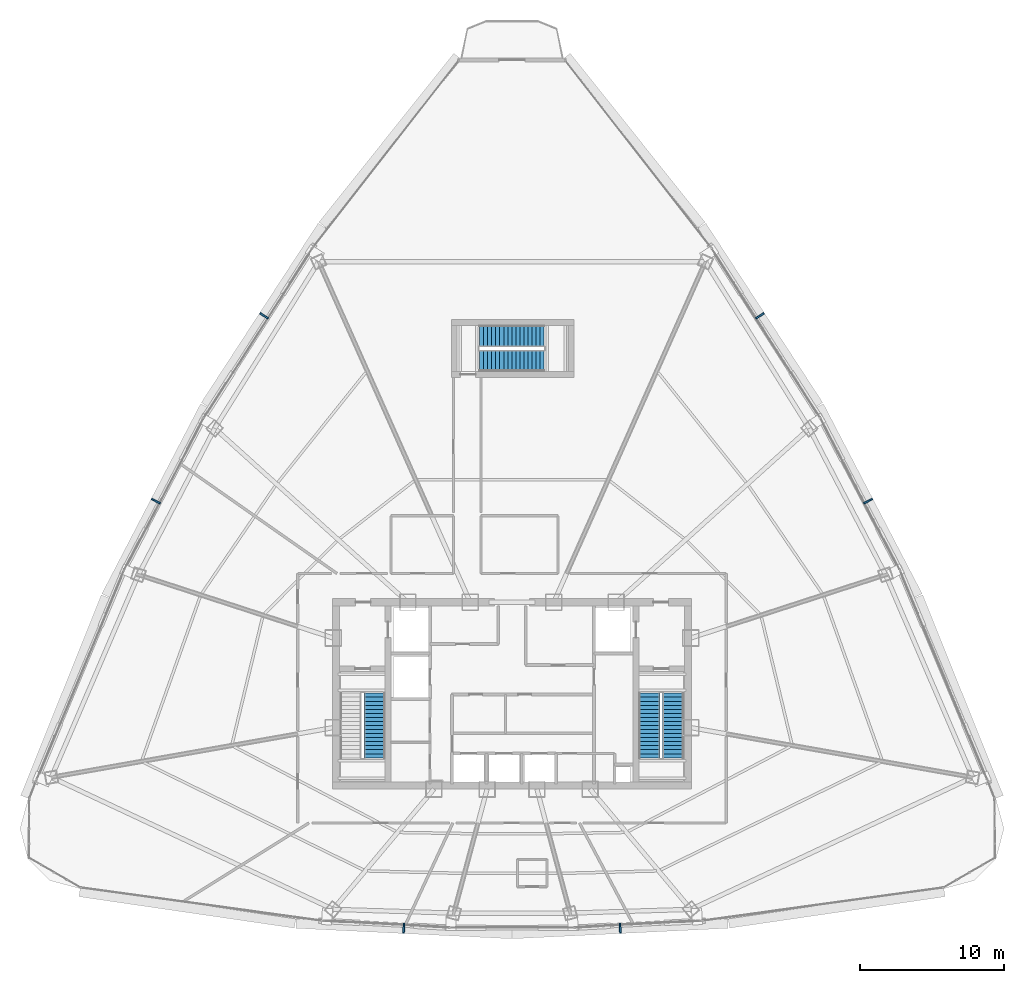
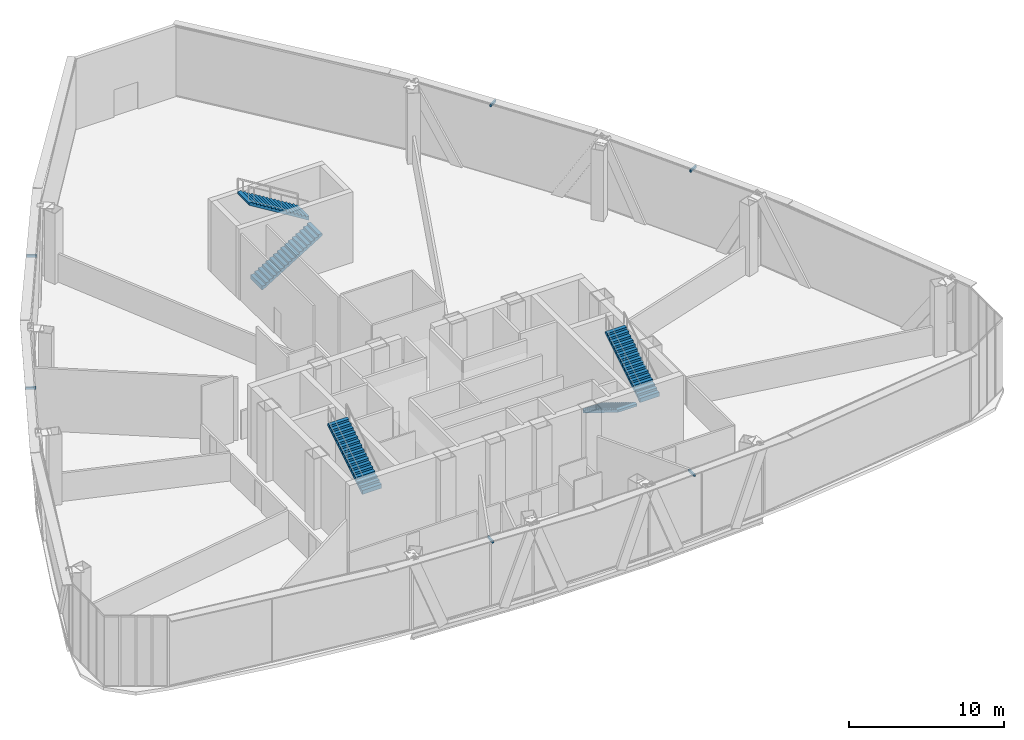
# One storey, part 34 of 38: 6 discrete accessories, 5 stair flights, 3 elements without a shape of their own.
"""IFC4 building model written with IfcOpenShell, lengths in metres."""

from ifc_helpers import new_model, si_unit, direction, frame, origin, origin_2d, place, context, subcontext, project, spatial, polyline, rectangle, outline, extrude, source, transform, mapped, material, type_object, element, aggregate, save


model = new_model("IFC4")

# Units and contexts
model_context = context("Model", 3, precision=1e-05, world=origin(), true_north=direction((0.0, 1.0)))
body_context = subcontext(model_context, "Body", "Model", "MODEL_VIEW")
ifc_project = project(units=[si_unit("LENGTHUNIT", "METRE"), si_unit("AREAUNIT", "SQUARE_METRE"), si_unit("VOLUMEUNIT", "CUBIC_METRE"), si_unit("PLANEANGLEUNIT", "RADIAN"), si_unit("MASSUNIT", "GRAM", prefix="KILO"), si_unit("THERMODYNAMICTEMPERATUREUNIT", "KELVIN"), si_unit("POWERUNIT", "WATT")], contexts=[model_context])

# Site, building, storey
site_placement = place(None, origin())
site = spatial("IfcSite", under=ifc_project, at=site_placement, CompositionType="ELEMENT")
building_placement = place(site_placement, origin())
building = spatial("IfcBuilding", under=site, at=building_placement, Name="Yunzhuo Pagoda Commons", CompositionType="ELEMENT")
storey_placement = place(building_placement, frame((0.0, 0.0, 266.909912109375)))
storey = spatial("IfcBuildingStorey", under=building, at=storey_placement, Name="L67", CompositionType="ELEMENT", Elevation=266.909912109375)

# Stair, stair flight
ifc_material_1 = material(Name="Concrete C40", Category="concrete")
stair_type_1 = type_object("IfcStairType", Name="ST-C1 Core Smokeproof Stair ST1", PredefinedType="HALF_TURN_STAIR", material=ifc_material_1)
stair_1_placement = place(storey_placement, origin())
stair_1 = element("IfcStair", 1, at=stair_1_placement, inside=storey, type_object=stair_type_1, Name="L67 Core smokeproof stair ST1", PredefinedType="HALF_TURN_STAIR")
stair_flight_type_1 = type_object("IfcStairFlightType", Name="STF-C1 Core Stair Flight 1450", PredefinedType="STRAIGHT", material=ifc_material_1)
shared_shape_1 = source(origin(), body_context, "Body", "SweptSolid", [
    extrude(outline(polyline([(0.0, -0.14990234375), (0.0, 0.0), (0.0, 0.172119140625), (0.280029296875, 0.172119140625), (0.280029296875, 0.34423828125), (0.56005859375, 0.34423828125), (0.56005859375, 0.51611328125), (0.840087890625, 0.51611328125), (0.840087890625, 0.688232421875), (1.1201171875, 0.688232421875), (1.1201171875, 0.8603515625), (1.39990234375, 0.8603515625), (1.39990234375, 1.032470703125), (1.679931640625, 1.032470703125), (1.679931640625, 1.204345703125), (1.9599609375, 1.204345703125), (1.9599609375, 1.37646484375), (2.239990234375, 1.37646484375), (2.239990234375, 1.548583984375), (2.52001953125, 1.548583984375), (2.52001953125, 1.720703125), (2.800048828125, 1.720703125), (2.800048828125, 1.892578125), (3.080078125, 1.892578125), (3.080078125, 2.064697265625), (3.360107421875, 2.064697265625), (3.360107421875, 2.23681640625), (3.639892578125, 2.23681640625), (3.639892578125, 2.408935546875), (3.919921875, 2.408935546875), (3.919921875, 2.580810546875), (4.199951171875, 2.580810546875), (4.199951171875, 2.7529296875), (4.47998046875, 2.7529296875), (4.47998046875, 2.925048828125), (4.47998046875, 2.576904296875), (0.286376953125, 0.0), (0.050048828125, -0.14990234375), (0.0, -0.14990234375)])), frame((0.0, 0.72509765625, 0.0), z_axis=(0.0, -1.0, 0.0), x_axis=(1.0, 0.0, 0.0)), (0.0, 0.0, 1.0), 1.449951171875),
])
stair_flight_1_placement = place(storey_placement, frame((38.47509765625, 29.419921875, 2.925048828125), z_axis=(0.0, 0.0, 1.0), x_axis=(0.0, 1.0, 0.0)))
stair_flight_1 = element("IfcStairFlight", 2, at=stair_flight_1_placement, type_object=stair_flight_type_1, Name="ST1 flight 2", NumberOfRisers=17, NumberOfTreads=16, PredefinedType="STRAIGHT", RiserHeight=0.172058824, TreadLength=0.28, context=body_context, shape_type="MappedRepresentation", body=[
    mapped(shared_shape_1, transform((0.0, 0.0, 0.0), scale=1.0)),
])
aggregate(stair_1, [stair_flight_1])

# Stair, stair flights
stair_type_2 = type_object("IfcStairType", Name="ST-C2 Core Smokeproof Stair ST2", PredefinedType="HALF_TURN_STAIR", material=ifc_material_1)
stair_2_placement = place(storey_placement, origin())
stair_2 = element("IfcStair", 3, at=stair_2_placement, inside=storey, type_object=stair_type_2, Name="L67 Core smokeproof stair ST2", PredefinedType="HALF_TURN_STAIR")
stair_flight_type_2 = type_object("IfcStairFlightType", Name="STF-C2 Core Stair Flight 1460", PredefinedType="STRAIGHT", material=ifc_material_1)
stair_flight_2_placement = place(storey_placement, frame((57.52490234375, 33.89990234375, 0.0), z_axis=(0.0, 0.0, 1.0), x_axis=(0.0, -1.0, 0.0)))
stair_flight_2 = element("IfcStairFlight", 4, at=stair_flight_2_placement, type_object=stair_flight_type_2, Name="ST2 flight 1", NumberOfRisers=17, NumberOfTreads=16, PredefinedType="STRAIGHT", RiserHeight=0.172058824, TreadLength=0.28, context=body_context, shape_type="MappedRepresentation", body=[
    mapped(shared_shape_1, transform((0.0, 0.0, 0.0), scale=1.0)),
])
stair_flight_3_placement = place(storey_placement, frame((59.175048828125, 29.419921875, 2.925048828125), z_axis=(0.0, 0.0, 1.0), x_axis=(0.0, 1.0, 0.0)))
stair_flight_3 = element("IfcStairFlight", 5, at=stair_flight_3_placement, type_object=stair_flight_type_2, Name="ST2 flight 2", NumberOfRisers=17, NumberOfTreads=16, PredefinedType="STRAIGHT", RiserHeight=0.172058824, TreadLength=0.28, context=body_context, shape_type="MappedRepresentation", body=[
    mapped(shared_shape_1, transform((0.0, 0.0, 0.0), scale=1.0)),
])
aggregate(stair_2, [stair_flight_2, stair_flight_3])

stair_type_3 = type_object("IfcStairType", Name="ST-C3 North Tower Smokeproof Stair ST3", PredefinedType="HALF_TURN_STAIR", material=ifc_material_1)
stair_3_placement = place(storey_placement, origin())
stair_3 = element("IfcStair", 6, at=stair_3_placement, inside=storey, type_object=stair_type_3, Name="L67 North tower smokeproof stair ST3", PredefinedType="HALF_TURN_STAIR")
stair_flight_type_3 = type_object("IfcStairFlightType", Name="STF-C3 North Stair Flight 1500", PredefinedType="STRAIGHT", material=ifc_material_1)
shared_shape_2 = source(origin(), body_context, "Body", "SweptSolid", [
    extrude(outline(polyline([(0.0, -0.14990234375), (0.0, 0.0), (0.0, 0.172119140625), (0.280029296875, 0.172119140625), (0.280029296875, 0.34423828125), (0.56005859375, 0.34423828125), (0.56005859375, 0.51611328125), (0.840087890625, 0.51611328125), (0.840087890625, 0.688232421875), (1.1201171875, 0.688232421875), (1.1201171875, 0.8603515625), (1.39990234375, 0.8603515625), (1.39990234375, 1.032470703125), (1.679931640625, 1.032470703125), (1.679931640625, 1.204345703125), (1.9599609375, 1.204345703125), (1.9599609375, 1.37646484375), (2.239990234375, 1.37646484375), (2.239990234375, 1.548583984375), (2.52001953125, 1.548583984375), (2.52001953125, 1.720703125), (2.800048828125, 1.720703125), (2.800048828125, 1.892578125), (3.080078125, 1.892578125), (3.080078125, 2.064697265625), (3.360107421875, 2.064697265625), (3.360107421875, 2.23681640625), (3.639892578125, 2.23681640625), (3.639892578125, 2.408935546875), (3.919921875, 2.408935546875), (3.919921875, 2.580810546875), (4.199951171875, 2.580810546875), (4.199951171875, 2.7529296875), (4.47998046875, 2.7529296875), (4.47998046875, 2.925048828125), (4.47998046875, 2.576904296875), (0.286376953125, 0.0), (0.050048828125, -0.14990234375), (0.0, -0.14990234375)])), frame((0.0, 0.75, 0.0), z_axis=(0.0, -1.0, 0.0), x_axis=(1.0, 0.0, 0.0)), (0.0, 0.0, 1.0), 1.5),
])
stair_flight_4_placement = place(storey_placement, frame((45.75, 56.949951171875, 0.0), z_axis=(0.0, 0.0, 1.0), x_axis=(1.0, 0.0, 0.0)))
stair_flight_4 = element("IfcStairFlight", 7, at=stair_flight_4_placement, type_object=stair_flight_type_3, Name="ST3 flight 1", NumberOfRisers=17, NumberOfTreads=16, PredefinedType="STRAIGHT", RiserHeight=0.172058824, TreadLength=0.28, context=body_context, shape_type="MappedRepresentation", body=[
    mapped(shared_shape_2, transform((0.0, 0.0, 0.0), scale=1.0)),
])
stair_flight_5_placement = place(storey_placement, frame((50.22998046875, 58.64990234375, 2.925048828125), z_axis=(0.0, 0.0, 1.0), x_axis=(-1.0, 0.0, 0.0)))
stair_flight_5 = element("IfcStairFlight", 8, at=stair_flight_5_placement, type_object=stair_flight_type_3, Name="ST3 flight 2", NumberOfRisers=17, NumberOfTreads=16, PredefinedType="STRAIGHT", RiserHeight=0.172058824, TreadLength=0.28, context=body_context, shape_type="MappedRepresentation", body=[
    mapped(shared_shape_2, transform((0.0, 0.0, 0.0), scale=1.0)),
])
aggregate(stair_3, [stair_flight_4, stair_flight_5])

# Discrete accessories
ifc_material_2 = material(Name="Anodized aluminium 6063-T6", Category="aluminium")
discrete_accessory_type = type_object("IfcDiscreteAccessoryType", Name="BK-SUN1 Sunshade Outrigger Bracket", PredefinedType="BRACKET", material=ifc_material_2)
shared_shape_3 = source(origin(), body_context, "Body", "SweptSolid", [
    extrude(rectangle(XDim=0.1201171875, YDim=0.679931640625, at=origin_2d()), origin(), (0.0, 0.0, 1.0), 0.179931640625),
])
for number, where, z_axis, x_axis, name in (
    (9, (40.49853515625, 17.6025390625, 5.3603515625), (0.0, 0.0, 1.0), (0.998818043775, -0.04860571396, 0.0), "L67 sunshade outrigger bracket F1.2"),
    (10, (55.50146484375, 17.6025390625, 5.3603515625), (0.0, 0.0, 1.0), (0.998818043775, 0.04860571396, 0.0), "L67 sunshade outrigger bracket F1.3"),
    (11, (72.690185546875, 47.218017578125, 5.3603515625), (0.0, 0.0, 1.0), (-0.461206683033, 0.88729273384, 0.0), "L67 sunshade outrigger bracket F2.2"),
    (12, (65.1884765625, 60.0693359375, 5.3603515625), (0.0, 0.0, 1.0), (-0.545838756973, 0.837890238269, 0.0), "L67 sunshade outrigger bracket F2.3"),
    (13, (30.8115234375, 60.0693359375, 5.3603515625), (0.0, 0.0, 1.0), (-0.545838756973, -0.837890238269, 0.0), "L67 sunshade outrigger bracket F3.2"),
    (14, (23.309814453125, 47.218017578125, 5.3603515625), (0.0, 0.0, 1.0), (-0.461206683033, -0.88729273384, 0.0), "L67 sunshade outrigger bracket F3.3"),
):
    element("IfcDiscreteAccessory", number, at=place(storey_placement, frame(where, z_axis=z_axis, x_axis=x_axis)), inside=storey, type_object=discrete_accessory_type, Name=name, PredefinedType="BRACKET", context=body_context, shape_type="MappedRepresentation", body=[
        mapped(shared_shape_3, transform((0.0, 0.0, 0.0), scale=1.0)),
    ])

save(model, "model.ifc")
